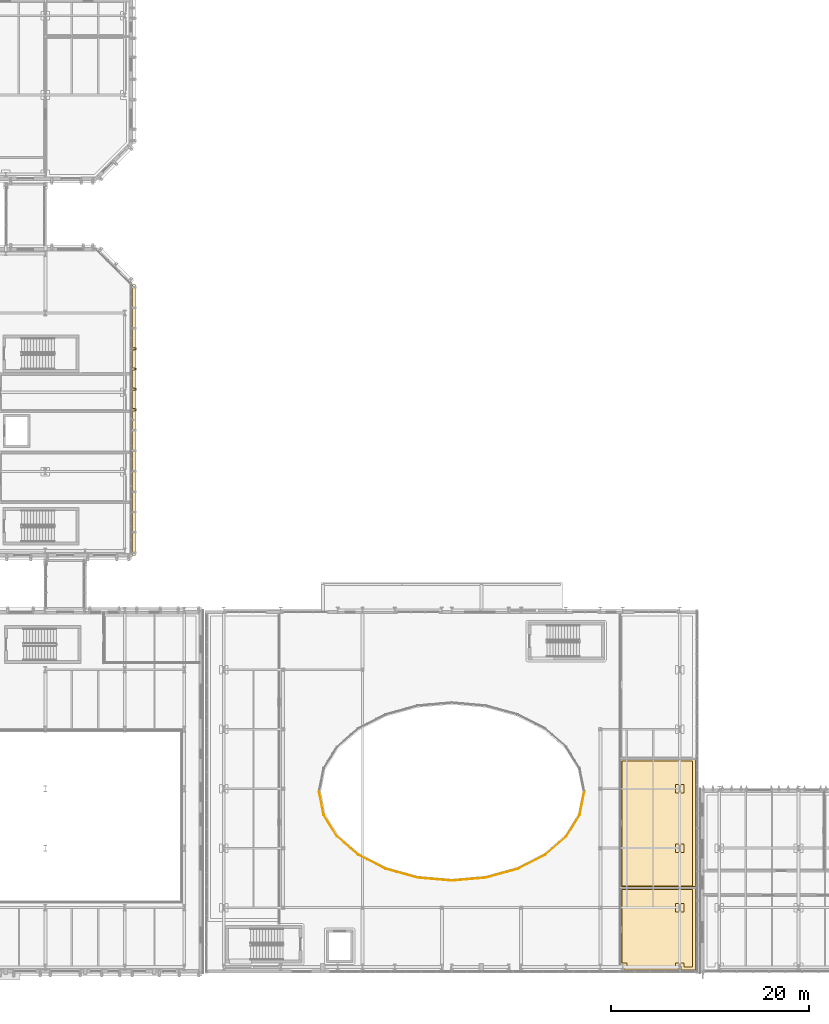
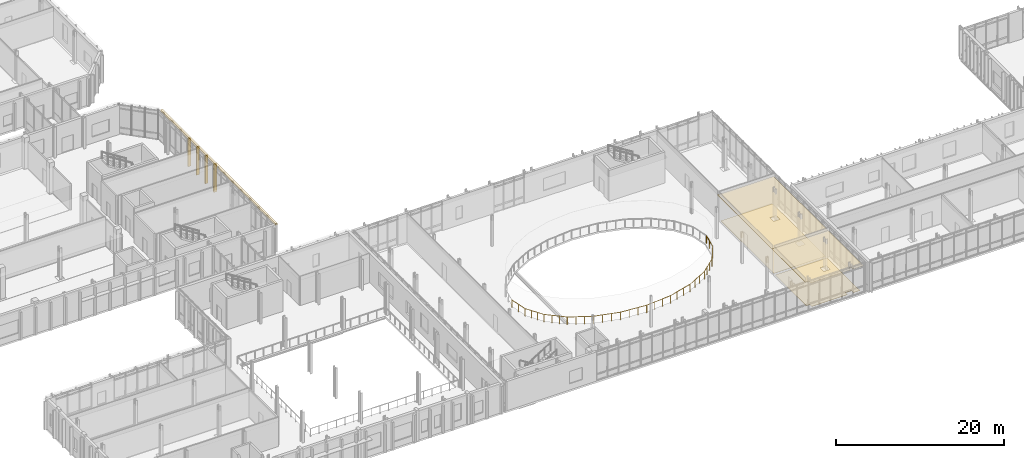
# One storey, part 89 of 100: 9 coverings, 1 railing.
"""IFC4 building model written with IfcOpenShell, lengths in metres."""

from ifc_helpers import new_model, si_unit, direction, frame, origin, origin_2d, place, context, subcontext, project, spatial, polyline, rectangle, circle, outline, extrude, material, layer, layer_set, type_object, element, save


model = new_model("IFC4")

# Units and contexts
model_context = context("Model", 3, precision=1e-05, world=origin(), true_north=direction((0.0, 1.0)))
body_context = subcontext(model_context, "Body", "Model", "MODEL_VIEW")
ifc_project = project(units=[si_unit("LENGTHUNIT", "METRE"), si_unit("AREAUNIT", "SQUARE_METRE"), si_unit("VOLUMEUNIT", "CUBIC_METRE"), si_unit("PLANEANGLEUNIT", "RADIAN"), si_unit("MASSUNIT", "GRAM", prefix="KILO")], contexts=[model_context])

# Site, building, storey
site_placement = place(None, origin())
site = spatial("IfcSite", under=ifc_project, at=site_placement, CompositionType="ELEMENT")
building_placement = place(site_placement, origin())
building = spatial("IfcBuilding", under=site, at=building_placement, Name="Cymarion Research Institute", CompositionType="ELEMENT")
storey_placement = place(building_placement, frame((0.0, 0.0, 4.800048828125)))
storey = spatial("IfcBuildingStorey", under=building, at=storey_placement, Name="L01", CompositionType="ELEMENT", Elevation=4.800048828125)

# Coverings
ifc_material_1 = material(Name="Micro-perforated mineral acoustic ceiling tile", Category="gypsum")
ifc_layer_1 = layer(ifc_material_1, 0.030029296875)
ifc_layer_set_1 = layer_set([ifc_layer_1], Name="Micro-perforated mineral acoustic ceiling tile")
covering_type_1 = type_object("IfcCoveringType", Name="ACOUSTIC MICRO-PERFORATED SUSPENDED CEILING CLG-01", PredefinedType="CEILING", material=ifc_layer_set_1)
covering_1_placement = place(storey_placement, frame((0.0, 0.0, 3.699951171875)))
element("IfcCovering", 1, at=covering_1_placement, inside=storey, type_object=covering_type_1, Name="L01 L01 Accessible WC and Public Washrooms acoustic ceiling", PredefinedType="CEILING", context=body_context, shape_type="SweptSolid", body=[
    extrude(outline(polyline([(104.215087890625, 13.614990234375), (104.215087890625, 5.18505859375), (102.735107421875, 5.18505859375), (102.735107421875, 5.635009765625), (102.465087890625, 5.635009765625), (102.465087890625, 5.18505859375), (96.985107421875, 5.18505859375), (96.985107421875, 5.635009765625), (96.485107421875, 5.635009765625), (96.485107421875, 13.614990234375), (104.215087890625, 13.614990234375)])), origin(), (0.0, 0.0, 1.0), 0.030029296875),
])
covering_2_placement = place(storey_placement, frame((0.0, 0.0, 3.699951171875)))
element("IfcCovering", 2, at=covering_2_placement, inside=storey, type_object=covering_type_1, Name="L01 L01 Colloquium Breakout & Poster Room acoustic ceiling", PredefinedType="CEILING", context=body_context, shape_type="SweptSolid", body=[
    extrude(outline(polyline([(104.215087890625, 26.614990234375), (104.215087890625, 13.385009765625), (96.485107421875, 13.385009765625), (96.485107421875, 26.614990234375), (104.215087890625, 26.614990234375)])), origin(), (0.0, 0.0, 1.0), 0.030029296875),
])

# Railing
ifc_material_2 = material(Name="Steel S355", Category="steel")
railing_type = type_object("IfcRailingType", Name="LAMINATED GLASS AND STEEL BALUSTRADE BAL1 1120MM", PredefinedType="BALUSTRADE", material=ifc_material_2)
railing_placement = place(storey_placement, frame((92.9765625, 23.1650390625, 0.0)))
element("IfcRailing", 3, at=railing_placement, inside=storey, type_object=railing_type, Name="L01 V2 Interaction Atrium curved gallery balustrade 1", PredefinedType="BALUSTRADE", context=body_context, shape_type="SweptSolid", body=[
    extrude(circle(Radius=0.02392578125, at=origin_2d()), frame((0.0, 0.0, 1.09619140625), z_axis=(-0.193708945841, -0.98105904221, 0.0), x_axis=(0.98105904221, -0.193708945841, 0.0)), (0.0, 0.0, 1.0), 2.321533203125),
    extrude(circle(Radius=0.02392578125, at=origin_2d()), frame((-0.44970703125, -2.277587890625, 1.09619140625), z_axis=(-0.242535625036, -0.970142500145, 0.0), x_axis=(0.970142500145, -0.242535625036, 0.0)), (0.0, 0.0, 1.0), 0.01611328125),
    extrude(circle(Radius=0.02392578125, at=origin_2d()), frame((-0.45361328125, -2.293212890625, 1.09619140625), z_axis=(-0.329682832837, -0.944091748578, 0.0), x_axis=(0.944091748578, -0.329682832837, 0.0)), (0.0, 0.0, 1.0), 0.016357421875),
    extrude(circle(Radius=0.02392578125, at=origin_2d()), frame((-0.458984375, -2.30859375, 1.09619140625), z_axis=(-0.404747112058, -0.914428660575, 0.0), x_axis=(0.914428660575, -0.404747112058, 0.0)), (0.0, 0.0, 1.0), 0.016357421875),
    extrude(circle(Radius=0.02392578125, at=origin_2d()), frame((-0.465576171875, -2.323486328125, 1.09619140625), z_axis=(-0.483077342911, -0.875577684027, 0.0), x_axis=(0.875577684027, -0.483077342911, 0.0)), (0.0, 0.0, 1.0), 0.01611328125),
    extrude(circle(Radius=0.02392578125, at=origin_2d()), frame((-0.473388671875, -2.337646484375, 1.09619140625), z_axis=(-0.527810309382, -0.849362276835, 0.0), x_axis=(0.849362276835, -0.527810309382, 0.0)), (0.0, 0.0, 1.0), 2.498779296875),
    extrude(circle(Radius=0.02392578125, at=origin_2d()), frame((-1.792236328125, -4.4599609375, 1.09619140625), z_axis=(-0.557836036894, -0.829951176842, 0.0), x_axis=(0.829951176842, -0.557836036894, 0.0)), (0.0, 0.0, 1.0), 0.017822265625),
    extrude(circle(Radius=0.02392578125, at=origin_2d()), frame((-1.80224609375, -4.474853515625, 1.09619140625), z_axis=(-0.650791373456, -0.759256602365, 0.0), x_axis=(0.759256602365, -0.650791373456, 0.0)), (0.0, 0.0, 1.0), 0.01806640625),
    extrude(circle(Radius=0.02392578125, at=origin_2d()), frame((-1.81396484375, -4.488525390625, 1.09619140625), z_axis=(-0.720571759014, -0.693380371882, 0.0), x_axis=(0.693380371882, -0.720571759014, 0.0)), (0.0, 0.0, 1.0), 0.01806640625),
    extrude(circle(Radius=0.02392578125, at=origin_2d()), frame((-1.826904296875, -4.5009765625, 1.09619140625), z_axis=(-0.754879718334, -0.655863256211, 0.0), x_axis=(0.655863256211, -0.754879718334, 0.0)), (0.0, 0.0, 1.0), 2.77880859375),
    extrude(circle(Radius=0.02392578125, at=origin_2d()), frame((-3.924560546875, -6.323486328125, 1.09619140625), z_axis=(-0.795946119382, -0.605367471079, 0.0), x_axis=(0.605367471079, -0.795946119382, 0.0)), (0.0, 0.0, 1.0), 0.021728515625),
    extrude(circle(Radius=0.02392578125, at=origin_2d()), frame((-3.94189453125, -6.336669921875, 1.09619140625), z_axis=(-0.863371944127, -0.504568019295, 0.0), x_axis=(0.504568019295, -0.863371944127, 0.0)), (0.0, 0.0, 1.0), 0.021728515625),
    extrude(circle(Radius=0.02392578125, at=origin_2d()), frame((-3.960693359375, -6.34765625, 1.09619140625), z_axis=(-0.890254910092, -0.455462616531, 0.0), x_axis=(0.455462616531, -0.890254910092, 0.0)), (0.0, 0.0, 1.0), 3.07080078125),
    extrude(circle(Radius=0.02392578125, at=origin_2d()), frame((-6.694580078125, -7.746337890625, 1.09619140625), z_axis=(-0.914917801573, -0.403640206576, 0.0), x_axis=(0.403640206576, -0.914917801573, 0.0)), (0.0, 0.0, 1.0), 0.01806640625),
    extrude(circle(Radius=0.02392578125, at=origin_2d()), frame((-6.711181640625, -7.753662109375, 1.09619140625), z_axis=(-0.948683298051, -0.316227766017, 0.0), x_axis=(0.316227766017, -0.948683298051, 0.0)), (0.0, 0.0, 1.0), 0.0185546875),
    extrude(circle(Radius=0.02392578125, at=origin_2d()), frame((-6.728759765625, -7.759521484375, 1.09619140625), z_axis=(-0.963921358719, -0.266187178892, 0.0), x_axis=(0.266187178892, -0.963921358719, 0.0)), (0.0, 0.0, 1.0), 3.302734375),
    extrude(circle(Radius=0.02392578125, at=origin_2d()), frame((-9.912353515625, -8.638671875, 1.09619140625), z_axis=(-0.974391195695, -0.224859506699, 0.0), x_axis=(0.224859506699, -0.974391195695, 0.0)), (0.0, 0.0, 1.0), 0.016357421875),
    extrude(circle(Radius=0.02392578125, at=origin_2d()), frame((-9.92822265625, -8.642333984375, 1.09619140625), z_axis=(-0.991098234869, -0.133132598714, 0.0), x_axis=(0.133132598714, -0.991098234869, 0.0)), (0.0, 0.0, 1.0), 0.0166015625),
    extrude(circle(Radius=0.02392578125, at=origin_2d()), frame((-9.944580078125, -8.64453125, 1.09619140625), z_axis=(-0.996171352849, -0.087422169749, 0.0), x_axis=(0.087422169749, -0.996171352849, 0.0)), (0.0, 0.0, 1.0), 3.429443359375),
    extrude(circle(Radius=0.02392578125, at=origin_2d()), frame((-13.36083984375, -8.9443359375, 1.09619140625), z_axis=(-0.99890317437, -0.046823586299, 0.0), x_axis=(0.046823586299, -0.99890317437, 0.0)), (0.0, 0.0, 1.0), 0.015625),
    extrude(circle(Radius=0.02392578125, at=origin_2d()), frame((-13.37646484375, -8.945068359375, 1.09619140625), z_axis=(-0.998936609849, 0.046104766608, 0.0), x_axis=(-0.046104766608, -0.998936609849, 0.0)), (0.0, 0.0, 1.0), 0.015869140625),
    extrude(circle(Radius=0.02392578125, at=origin_2d()), frame((-13.392333984375, -8.9443359375, 1.09619140625), z_axis=(-0.996171352849, 0.087422169749, 0.0), x_axis=(-0.087422169749, -0.996171352849, 0.0)), (0.0, 0.0, 1.0), 3.429443359375),
    extrude(circle(Radius=0.02392578125, at=origin_2d()), frame((-16.80859375, -8.64453125, 1.09619140625), z_axis=(-0.991098234869, 0.133132598714, 0.0), x_axis=(-0.133132598714, -0.991098234869, 0.0)), (0.0, 0.0, 1.0), 0.0166015625),
    extrude(circle(Radius=0.02392578125, at=origin_2d()), frame((-16.824951171875, -8.642333984375, 1.09619140625), z_axis=(-0.974391195695, 0.224859506699, 0.0), x_axis=(-0.224859506699, -0.974391195695, 0.0)), (0.0, 0.0, 1.0), 0.016357421875),
    extrude(circle(Radius=0.02392578125, at=origin_2d()), frame((-16.8408203125, -8.638671875, 1.09619140625), z_axis=(-0.963921358719, 0.266187178892, 0.0), x_axis=(-0.266187178892, -0.963921358719, 0.0)), (0.0, 0.0, 1.0), 3.302734375),
    extrude(circle(Radius=0.02392578125, at=origin_2d()), frame((-20.0244140625, -7.759521484375, 1.09619140625), z_axis=(-0.947340570768, 0.32022779857, 0.0), x_axis=(-0.32022779857, -0.947340570768, 0.0)), (0.0, 0.0, 1.0), 0.018310546875),
    extrude(circle(Radius=0.02392578125, at=origin_2d()), frame((-20.041748046875, -7.753662109375, 1.09619140625), z_axis=(-0.917070056253, 0.398726111414, 0.0), x_axis=(-0.398726111414, -0.917070056253, 0.0)), (0.0, 0.0, 1.0), 0.018310546875),
    extrude(circle(Radius=0.02392578125, at=origin_2d()), frame((-20.05859375, -7.746337890625, 1.09619140625), z_axis=(-0.890254910092, 0.455462616531, 0.0), x_axis=(-0.455462616531, -0.890254910092, 0.0)), (0.0, 0.0, 1.0), 3.07080078125),
    extrude(circle(Radius=0.02392578125, at=origin_2d()), frame((-22.79248046875, -6.34765625, 1.09619140625), z_axis=(-0.863371944127, 0.504568019295, 0.0), x_axis=(-0.504568019295, -0.863371944127, 0.0)), (0.0, 0.0, 1.0), 0.021728515625),
    extrude(circle(Radius=0.02392578125, at=origin_2d()), frame((-22.811279296875, -6.336669921875, 1.09619140625), z_axis=(-0.791782255563, 0.610803454292, 0.0), x_axis=(-0.610803454292, -0.791782255563, 0.0)), (0.0, 0.0, 1.0), 0.021484375),
    extrude(circle(Radius=0.02392578125, at=origin_2d()), frame((-22.828369140625, -6.323486328125, 1.09619140625), z_axis=(-0.754917507464, 0.65581975948, 0.0), x_axis=(-0.65581975948, -0.754917507464, 0.0)), (0.0, 0.0, 1.0), 2.779052734375),
    extrude(circle(Radius=0.02392578125, at=origin_2d()), frame((-24.92626953125, -4.5009765625, 1.09619140625), z_axis=(-0.713938248596, 0.700208666892, 0.0), x_axis=(-0.700208666892, -0.713938248596, 0.0)), (0.0, 0.0, 1.0), 0.017822265625),
    extrude(circle(Radius=0.02392578125, at=origin_2d()), frame((-24.93896484375, -4.488525390625, 1.09619140625), z_axis=(-0.650791373456, 0.759256602365, 0.0), x_axis=(-0.759256602365, -0.650791373456, 0.0)), (0.0, 0.0, 1.0), 0.01806640625),
    extrude(circle(Radius=0.02392578125, at=origin_2d()), frame((-24.95068359375, -4.474853515625, 1.09619140625), z_axis=(-0.567101732998, 0.823647755069, 0.0), x_axis=(-0.823647755069, -0.567101732998, 0.0)), (0.0, 0.0, 1.0), 0.01806640625),
    extrude(circle(Radius=0.02392578125, at=origin_2d()), frame((-24.9609375, -4.4599609375, 1.09619140625), z_axis=(-0.527739816897, 0.849406078187, 0.0), x_axis=(-0.849406078187, -0.527739816897, 0.0)), (0.0, 0.0, 1.0), 2.49853515625),
    extrude(circle(Radius=0.02392578125, at=origin_2d()), frame((-26.279541015625, -2.337646484375, 1.09619140625), z_axis=(-0.494524249255, 0.869163832024, 0.0), x_axis=(-0.869163832024, -0.494524249255, 0.0)), (0.0, 0.0, 1.0), 0.016357421875),
    extrude(circle(Radius=0.02392578125, at=origin_2d()), frame((-26.28759765625, -2.323486328125, 1.09619140625), z_axis=(-0.404747112058, 0.914428660575, 0.0), x_axis=(-0.914428660575, -0.404747112058, 0.0)), (0.0, 0.0, 1.0), 0.016357421875),
    extrude(circle(Radius=0.02392578125, at=origin_2d()), frame((-26.294189453125, -2.30859375, 1.09619140625), z_axis=(-0.329682832837, 0.944091748578, 0.0), x_axis=(-0.944091748578, -0.329682832837, 0.0)), (0.0, 0.0, 1.0), 0.016357421875),
    extrude(circle(Radius=0.02392578125, at=origin_2d()), frame((-26.299560546875, -2.293212890625, 1.09619140625), z_axis=(-0.242535625036, 0.970142500145, 0.0), x_axis=(-0.970142500145, -0.242535625036, 0.0)), (0.0, 0.0, 1.0), 0.01611328125),
    extrude(circle(Radius=0.02392578125, at=origin_2d()), frame((-26.303466796875, -2.277587890625, 1.09619140625), z_axis=(-0.193708945841, 0.98105904221, 0.0), x_axis=(-0.98105904221, -0.193708945841, 0.0)), (0.0, 0.0, 1.0), 2.321533203125),
    extrude(circle(Radius=0.02392578125, at=origin_2d()), frame((-26.753173828125, 0.0, 1.09619140625), z_axis=(-0.137568371275, 0.990492273178, 0.0), x_axis=(-0.990492273178, -0.137568371275, 0.0)), (0.0, 0.0, 1.0), 0.017822265625),
    extrude(circle(Radius=0.02392578125, at=origin_2d()), frame((-26.755615234375, 0.017578125, 1.09619140625), z_axis=(-0.056248832739, 0.998416781117, 0.0), x_axis=(-0.998416781117, -0.056248832739, 0.0)), (0.0, 0.0, 1.0), 0.017333984375),
    extrude(circle(Radius=0.02392578125, at=origin_2d()), frame((-26.756591796875, 0.034912109375, 1.09619140625), z_axis=(0.055470019623, 0.998460353205, 0.0), x_axis=(-0.998460353205, 0.055470019623, 0.0)), (0.0, 0.0, 1.0), 0.017578125),
    extrude(circle(Radius=0.02392578125, at=origin_2d()), frame((-26.755615234375, 0.052490234375, 1.09619140625), z_axis=(0.139468521846, 0.990226505106, 0.0), x_axis=(-0.990226505106, 0.139468521846, 0.0)), (0.0, 0.0, 1.0), 0.017578125),
    extrude(circle(Radius=0.02099609375, at=origin_2d()), origin(), (0.0, 0.0, 1.0), 1.072021484375),
    extrude(circle(Radius=0.02099609375, at=origin_2d()), frame((-0.224853515625, -1.138671875, 0.0)), (0.0, 0.0, 1.0), 1.072021484375),
    extrude(circle(Radius=0.02099609375, at=origin_2d()), frame((-0.44970703125, -2.277587890625, 0.0)), (0.0, 0.0, 1.0), 1.072021484375),
    extrude(circle(Radius=0.02099609375, at=origin_2d()), frame((-0.45361328125, -2.293212890625, 0.0)), (0.0, 0.0, 1.0), 1.072021484375),
    extrude(circle(Radius=0.02099609375, at=origin_2d()), frame((-0.458984375, -2.30859375, 0.0)), (0.0, 0.0, 1.0), 1.072021484375),
    extrude(circle(Radius=0.02099609375, at=origin_2d()), frame((-0.465576171875, -2.323486328125, 0.0)), (0.0, 0.0, 1.0), 1.072021484375),
    extrude(circle(Radius=0.02099609375, at=origin_2d()), frame((-0.473388671875, -2.337646484375, 0.0)), (0.0, 0.0, 1.0), 1.072021484375),
    extrude(circle(Radius=0.02099609375, at=origin_2d()), frame((-0.9130859375, -3.045166015625, 0.0)), (0.0, 0.0, 1.0), 1.072021484375),
    extrude(circle(Radius=0.02099609375, at=origin_2d()), frame((-1.3525390625, -3.75244140625, 0.0)), (0.0, 0.0, 1.0), 1.072021484375),
    extrude(circle(Radius=0.02099609375, at=origin_2d()), frame((-1.792236328125, -4.4599609375, 0.0)), (0.0, 0.0, 1.0), 1.072021484375),
    extrude(circle(Radius=0.02099609375, at=origin_2d()), frame((-1.80224609375, -4.474853515625, 0.0)), (0.0, 0.0, 1.0), 1.072021484375),
    extrude(circle(Radius=0.02099609375, at=origin_2d()), frame((-1.81396484375, -4.488525390625, 0.0)), (0.0, 0.0, 1.0), 1.072021484375),
    extrude(circle(Radius=0.02099609375, at=origin_2d()), frame((-1.826904296875, -4.5009765625, 0.0)), (0.0, 0.0, 1.0), 1.072021484375),
    extrude(circle(Radius=0.02099609375, at=origin_2d()), frame((-2.526123046875, -5.1083984375, 0.0)), (0.0, 0.0, 1.0), 1.072021484375),
    extrude(circle(Radius=0.02099609375, at=origin_2d()), frame((-3.225341796875, -5.716064453125, 0.0)), (0.0, 0.0, 1.0), 1.072021484375),
    extrude(circle(Radius=0.02099609375, at=origin_2d()), frame((-3.924560546875, -6.323486328125, 0.0)), (0.0, 0.0, 1.0), 1.072021484375),
    extrude(circle(Radius=0.02099609375, at=origin_2d()), frame((-3.94189453125, -6.336669921875, 0.0)), (0.0, 0.0, 1.0), 1.072021484375),
    extrude(circle(Radius=0.02099609375, at=origin_2d()), frame((-3.960693359375, -6.34765625, 0.0)), (0.0, 0.0, 1.0), 1.072021484375),
    extrude(circle(Radius=0.02099609375, at=origin_2d()), frame((-4.8720703125, -6.81396484375, 0.0)), (0.0, 0.0, 1.0), 1.072021484375),
    extrude(circle(Radius=0.02099609375, at=origin_2d()), frame((-5.783203125, -7.280029296875, 0.0)), (0.0, 0.0, 1.0), 1.072021484375),
    extrude(circle(Radius=0.02099609375, at=origin_2d()), frame((-6.694580078125, -7.746337890625, 0.0)), (0.0, 0.0, 1.0), 1.072021484375),
    extrude(circle(Radius=0.02099609375, at=origin_2d()), frame((-6.711181640625, -7.753662109375, 0.0)), (0.0, 0.0, 1.0), 1.072021484375),
    extrude(circle(Radius=0.02099609375, at=origin_2d()), frame((-6.728759765625, -7.759521484375, 0.0)), (0.0, 0.0, 1.0), 1.072021484375),
    extrude(circle(Radius=0.02099609375, at=origin_2d()), frame((-7.7900390625, -8.052490234375, 0.0)), (0.0, 0.0, 1.0), 1.072021484375),
    extrude(circle(Radius=0.02099609375, at=origin_2d()), frame((-8.85107421875, -8.345703125, 0.0)), (0.0, 0.0, 1.0), 1.072021484375),
    extrude(circle(Radius=0.02099609375, at=origin_2d()), frame((-9.912353515625, -8.638671875, 0.0)), (0.0, 0.0, 1.0), 1.072021484375),
    extrude(circle(Radius=0.02099609375, at=origin_2d()), frame((-9.92822265625, -8.642333984375, 0.0)), (0.0, 0.0, 1.0), 1.072021484375),
    extrude(circle(Radius=0.02099609375, at=origin_2d()), frame((-9.944580078125, -8.64453125, 0.0)), (0.0, 0.0, 1.0), 1.072021484375),
    extrude(circle(Radius=0.02099609375, at=origin_2d()), frame((-11.083251953125, -8.744384765625, 0.0)), (0.0, 0.0, 1.0), 1.072021484375),
    extrude(circle(Radius=0.02099609375, at=origin_2d()), frame((-12.22216796875, -8.844482421875, 0.0)), (0.0, 0.0, 1.0), 1.072021484375),
    extrude(circle(Radius=0.02099609375, at=origin_2d()), frame((-13.36083984375, -8.9443359375, 0.0)), (0.0, 0.0, 1.0), 1.072021484375),
    extrude(circle(Radius=0.02099609375, at=origin_2d()), frame((-13.37646484375, -8.945068359375, 0.0)), (0.0, 0.0, 1.0), 1.072021484375),
    extrude(circle(Radius=0.02099609375, at=origin_2d()), frame((-13.392333984375, -8.9443359375, 0.0)), (0.0, 0.0, 1.0), 1.072021484375),
    extrude(circle(Radius=0.02099609375, at=origin_2d()), frame((-14.531005859375, -8.844482421875, 0.0)), (0.0, 0.0, 1.0), 1.072021484375),
    extrude(circle(Radius=0.02099609375, at=origin_2d()), frame((-15.669921875, -8.744384765625, 0.0)), (0.0, 0.0, 1.0), 1.072021484375),
    extrude(circle(Radius=0.02099609375, at=origin_2d()), frame((-16.80859375, -8.64453125, 0.0)), (0.0, 0.0, 1.0), 1.072021484375),
    extrude(circle(Radius=0.02099609375, at=origin_2d()), frame((-16.824951171875, -8.642333984375, 0.0)), (0.0, 0.0, 1.0), 1.072021484375),
    extrude(circle(Radius=0.02099609375, at=origin_2d()), frame((-16.8408203125, -8.638671875, 0.0)), (0.0, 0.0, 1.0), 1.072021484375),
    extrude(circle(Radius=0.02099609375, at=origin_2d()), frame((-17.902099609375, -8.345703125, 0.0)), (0.0, 0.0, 1.0), 1.072021484375),
    extrude(circle(Radius=0.02099609375, at=origin_2d()), frame((-18.963134765625, -8.052490234375, 0.0)), (0.0, 0.0, 1.0), 1.072021484375),
    extrude(circle(Radius=0.02099609375, at=origin_2d()), frame((-20.0244140625, -7.759521484375, 0.0)), (0.0, 0.0, 1.0), 1.072021484375),
    extrude(circle(Radius=0.02099609375, at=origin_2d()), frame((-20.041748046875, -7.753662109375, 0.0)), (0.0, 0.0, 1.0), 1.072021484375),
    extrude(circle(Radius=0.02099609375, at=origin_2d()), frame((-20.05859375, -7.746337890625, 0.0)), (0.0, 0.0, 1.0), 1.072021484375),
    extrude(circle(Radius=0.02099609375, at=origin_2d()), frame((-20.969970703125, -7.280029296875, 0.0)), (0.0, 0.0, 1.0), 1.072021484375),
    extrude(circle(Radius=0.02099609375, at=origin_2d()), frame((-21.881103515625, -6.81396484375, 0.0)), (0.0, 0.0, 1.0), 1.072021484375),
    extrude(circle(Radius=0.02099609375, at=origin_2d()), frame((-22.79248046875, -6.34765625, 0.0)), (0.0, 0.0, 1.0), 1.072021484375),
    extrude(circle(Radius=0.02099609375, at=origin_2d()), frame((-22.811279296875, -6.336669921875, 0.0)), (0.0, 0.0, 1.0), 1.072021484375),
    extrude(circle(Radius=0.02099609375, at=origin_2d()), frame((-22.828369140625, -6.323486328125, 0.0)), (0.0, 0.0, 1.0), 1.072021484375),
    extrude(circle(Radius=0.02099609375, at=origin_2d()), frame((-23.527587890625, -5.716064453125, 0.0)), (0.0, 0.0, 1.0), 1.072021484375),
    extrude(circle(Radius=0.02099609375, at=origin_2d()), frame((-24.22705078125, -5.1083984375, 0.0)), (0.0, 0.0, 1.0), 1.072021484375),
    extrude(circle(Radius=0.02099609375, at=origin_2d()), frame((-24.92626953125, -4.5009765625, 0.0)), (0.0, 0.0, 1.0), 1.072021484375),
    extrude(circle(Radius=0.02099609375, at=origin_2d()), frame((-24.93896484375, -4.488525390625, 0.0)), (0.0, 0.0, 1.0), 1.072021484375),
    extrude(circle(Radius=0.02099609375, at=origin_2d()), frame((-24.95068359375, -4.474853515625, 0.0)), (0.0, 0.0, 1.0), 1.072021484375),
    extrude(circle(Radius=0.02099609375, at=origin_2d()), frame((-24.9609375, -4.4599609375, 0.0)), (0.0, 0.0, 1.0), 1.072021484375),
    extrude(circle(Radius=0.02099609375, at=origin_2d()), frame((-25.400390625, -3.75244140625, 0.0)), (0.0, 0.0, 1.0), 1.072021484375),
    extrude(circle(Radius=0.02099609375, at=origin_2d()), frame((-25.840087890625, -3.045166015625, 0.0)), (0.0, 0.0, 1.0), 1.072021484375),
    extrude(circle(Radius=0.02099609375, at=origin_2d()), frame((-26.279541015625, -2.337646484375, 0.0)), (0.0, 0.0, 1.0), 1.072021484375),
    extrude(circle(Radius=0.02099609375, at=origin_2d()), frame((-26.28759765625, -2.323486328125, 0.0)), (0.0, 0.0, 1.0), 1.072021484375),
    extrude(circle(Radius=0.02099609375, at=origin_2d()), frame((-26.294189453125, -2.30859375, 0.0)), (0.0, 0.0, 1.0), 1.072021484375),
    extrude(circle(Radius=0.02099609375, at=origin_2d()), frame((-26.299560546875, -2.293212890625, 0.0)), (0.0, 0.0, 1.0), 1.072021484375),
    extrude(circle(Radius=0.02099609375, at=origin_2d()), frame((-26.303466796875, -2.277587890625, 0.0)), (0.0, 0.0, 1.0), 1.072021484375),
    extrude(circle(Radius=0.02099609375, at=origin_2d()), frame((-26.5283203125, -1.138671875, 0.0)), (0.0, 0.0, 1.0), 1.072021484375),
    extrude(circle(Radius=0.02099609375, at=origin_2d()), frame((-26.753173828125, 0.0, 0.0)), (0.0, 0.0, 1.0), 1.072021484375),
    extrude(circle(Radius=0.02099609375, at=origin_2d()), frame((-26.755615234375, 0.017578125, 0.0)), (0.0, 0.0, 1.0), 1.072021484375),
    extrude(circle(Radius=0.02099609375, at=origin_2d()), frame((-26.756591796875, 0.034912109375, 0.0)), (0.0, 0.0, 1.0), 1.072021484375),
    extrude(circle(Radius=0.02099609375, at=origin_2d()), frame((-26.755615234375, 0.052490234375, 0.0)), (0.0, 0.0, 1.0), 1.072021484375),
    extrude(circle(Radius=0.02099609375, at=origin_2d()), frame((-26.753173828125, 0.06982421875, 0.0)), (0.0, 0.0, 1.0), 1.072021484375),
])

# Coverings
ifc_material_3 = material(Name="Precast concrete C45/55 architectural white", Category="concrete")
ifc_layer_2 = layer(ifc_material_3, 0.260009765625)
ifc_layer_set_2 = layer_set([ifc_layer_2], Name="Precast concrete C45/55 architectural white")
covering_type_2 = type_object("IfcCoveringType", Name="SCULPTURAL WHITE PRECAST CONCRETE SPANDREL BROW BAND RIB2 280MM", PredefinedType="CLADDING", material=ifc_layer_set_2)
covering_3_placement = place(storey_placement, frame((47.5419921875, 60.699951171875, 4.08984375), z_axis=(0.0, 0.0, 1.0), x_axis=(1.0, 0.0, 0.0)))
element("IfcCovering", 4, at=covering_3_placement, inside=storey, type_object=covering_type_2, Name="L01 V4 precast spandrel brow band RIB2 #310", PredefinedType="CLADDING", context=body_context, shape_type="SweptSolid", body=[
    extrude(rectangle(XDim=0.280029296875, YDim=27.360107421875, at=origin_2d()), origin(), (0.0, 0.0, 1.0), 0.260009765625),
])
ifc_layer_3 = layer(ifc_material_3, 0.199951171875)
ifc_layer_set_3 = layer_set([ifc_layer_3], Name="Precast concrete C45/55 architectural white")
covering_type_3 = type_object("IfcCoveringType", Name="SCULPTURAL WHITE PRECAST CONCRETE VERTICAL RIB RIB1 380X200", PredefinedType="CLADDING", material=ifc_layer_set_3)
for number, where, z_axis, x_axis, name in (
    (5, (47.592041015625, 61.730712890625, 0.009765625), (0.0, 0.0, 1.0), (1.0, 0.0, 0.0), "L01 V4 sculptural precast vertical rib RIB1 #318"),
    (6, (47.592041015625, 63.792236328125, 0.009765625), (0.0, 0.0, 1.0), (1.0, 0.0, 0.0), "L01 V4 sculptural precast vertical rib RIB1 #319"),
    (7, (47.592041015625, 65.853759765625, 0.009765625), (0.0, 0.0, 1.0), (1.0, 0.0, 0.0), "L01 V4 sculptural precast vertical rib RIB1 #320"),
    (8, (47.592041015625, 67.915283203125, 0.009765625), (0.0, 0.0, 1.0), (1.0, 0.0, 0.0), "L01 V4 sculptural precast vertical rib RIB1 #321"),
):
    element("IfcCovering", number, at=place(storey_placement, frame(where, z_axis=z_axis, x_axis=x_axis)), inside=storey, type_object=covering_type_3, Name=name, PredefinedType="CLADDING", context=body_context, shape_type="SweptSolid", body=[
        extrude(rectangle(XDim=0.3798828125, YDim=0.199951171875, at=origin_2d()), origin(), (0.0, 0.0, 1.0), 4.074951171875),
    ])
ifc_material_4 = material(Name="Seamless dissipative epoxy resin flooring", Category="resin")
ifc_layer_4 = layer(ifc_material_4, 0.02001953125)
ifc_layer_set_4 = layer_set([ifc_layer_4], Name="Seamless dissipative epoxy resin flooring")
covering_type_4 = type_object("IfcCoveringType", Name="SEAMLESS ESD EPOXY LABORATORY FLOORING FLR-01", PredefinedType="FLOORING", material=ifc_layer_set_4)
covering_4_placement = place(storey_placement, origin())
element("IfcCovering", 9, at=covering_4_placement, inside=storey, type_object=covering_type_4, Name="L01 L01 Accessible WC and Public Washrooms ESD epoxy flooring", PredefinedType="FLOORING", context=body_context, shape_type="SweptSolid", body=[
    extrude(outline(polyline([(96.784912109375, 13.31494140625), (103.9150390625, 13.31494140625), (103.9150390625, 5.485107421875), (103.034912109375, 5.485107421875), (103.034912109375, 5.93505859375), (102.1650390625, 5.93505859375), (102.1650390625, 5.485107421875), (97.284912109375, 5.485107421875), (97.284912109375, 5.93505859375), (96.784912109375, 5.93505859375), (96.784912109375, 13.31494140625)]), holes=[polyline([(103.034912109375, 11.93505859375), (102.1650390625, 11.93505859375), (102.1650390625, 11.06494140625), (103.034912109375, 11.06494140625), (103.034912109375, 11.93505859375)])]), origin(), (0.0, 0.0, 1.0), 0.02001953125),
])
covering_5_placement = place(storey_placement, origin())
element("IfcCovering", 10, at=covering_5_placement, inside=storey, type_object=covering_type_4, Name="L01 L01 Colloquium Breakout & Poster Room ESD epoxy flooring", PredefinedType="FLOORING", context=body_context, shape_type="SweptSolid", body=[
    extrude(outline(polyline([(96.784912109375, 26.31494140625), (103.9150390625, 26.31494140625), (103.9150390625, 13.68505859375), (96.784912109375, 13.68505859375), (96.784912109375, 26.31494140625)]), holes=[polyline([(103.034912109375, 17.93505859375), (102.1650390625, 17.93505859375), (102.1650390625, 17.06494140625), (103.034912109375, 17.06494140625), (103.034912109375, 17.93505859375)]), polyline([(103.034912109375, 23.93505859375), (102.1650390625, 23.93505859375), (102.1650390625, 23.06494140625), (103.034912109375, 23.06494140625), (103.034912109375, 23.93505859375)])]), origin(), (0.0, 0.0, 1.0), 0.02001953125),
])

save(model, "model.ifc")
